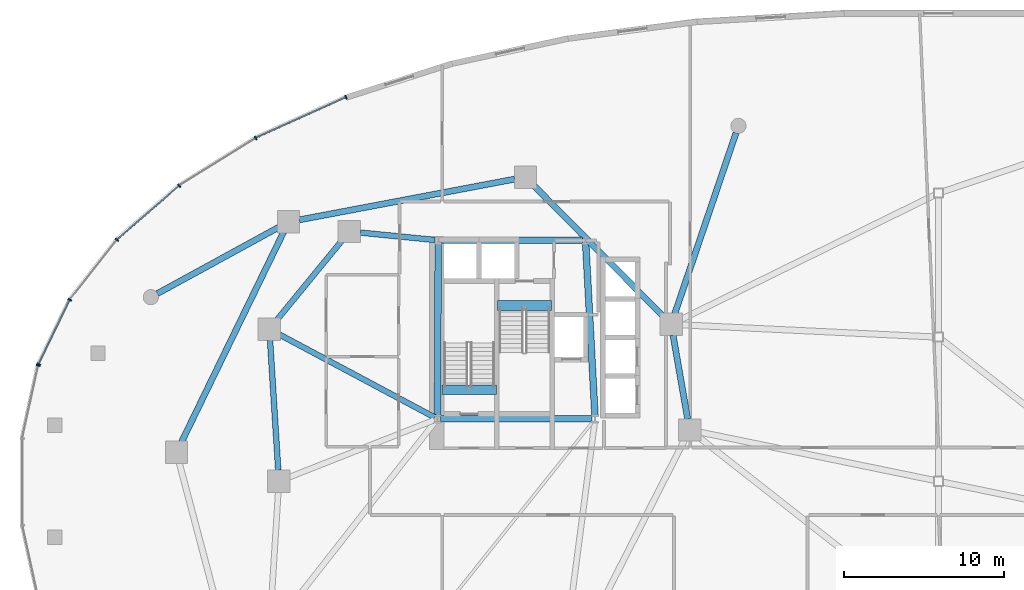
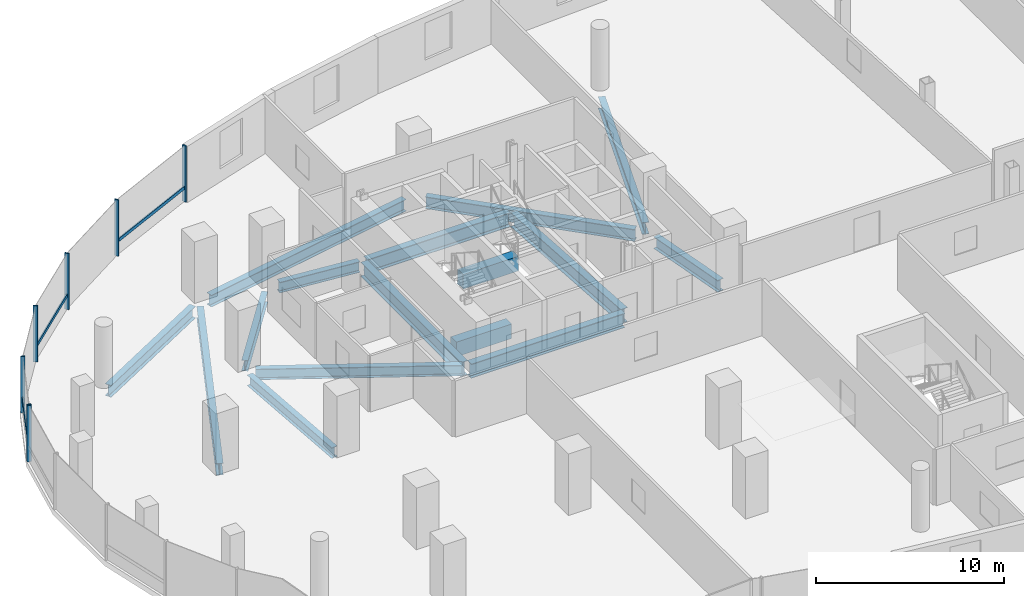
# One storey, part 5 of 19: 16 beams, 10 members, 2 elements without a shape of their own.
"""IFC4 building model written with IfcOpenShell, lengths in metres."""

import ifcopenshell
import ifcopenshell.guid

model = None  # the IFC model being written
_history = None  # IfcOwnerHistory: only IFC2X3 demands one
_inside = {}  # id of a spatial element -> (the spatial element, [elements in it])
_under = {}  # id of a project, library or spatial element -> (it, [spatial elements below it])
_declared = {}  # id of a project -> (the project, [libraries it declares])
_typed = {}  # id of a type object -> (the type object, [elements of that type])
_made_of = {}  # id of a material, layer set ... -> (it, [elements and type objects made of it])


def new_model(schema):
    """Start an empty IFC model of exactly this schema.

    Asked for "IFC4X3", IfcOpenShell would pick the latest addendum, in which some entities
    have other attributes; the version numbers below select the first issue.
    IFC2X3 requires an IfcOwnerHistory on every rooted entity: one is made here for all.
    """
    global model, _history
    if schema == "IFC4X3":
        model = ifcopenshell.file(schema_version=(4, 3, 0, 0))
    else:
        model = ifcopenshell.file(schema=schema)
    _inside.clear()
    _under.clear()
    _declared.clear()
    _typed.clear()
    _made_of.clear()
    _history = None
    if model.schema == "IFC2X3":
        org = make("IfcOrganization", Name="unknown")
        user = make(
            "IfcPersonAndOrganization",
            ThePerson=make("IfcPerson", FamilyName="unknown"),
            TheOrganization=org,
        )
        app = make(
            "IfcApplication",
            ApplicationDeveloper=org,
            Version="unknown",
            ApplicationFullName="unknown",
            ApplicationIdentifier="unknown",
        )
        _history = make(
            "IfcOwnerHistory",
            OwningUser=user,
            OwningApplication=app,
            ChangeAction="ADDED",
            CreationDate=0,
        )
    return model


def make(cls, **values):
    """One entity of the class cls with the attributes given. An attribute that is None is left unset."""
    return model.create_entity(
        cls, **{name: value for name, value in values.items() if value is not None}
    )


def rooted(cls, **values):
    """An entity with a GlobalId (a new one), such as an element, a storey or a relation."""
    return make(cls, GlobalId=ifcopenshell.guid.new(), OwnerHistory=_history, **values)


def si_unit(unit_type, name, prefix=None):
    """IfcSIUnit, for example si_unit("LENGTHUNIT", "METRE", prefix="MILLI")."""
    return make("IfcSIUnit", UnitType=unit_type, Prefix=prefix, Name=name)


def assignment(units):
    """IfcUnitAssignment: the units of a project."""
    return None if units is None else make("IfcUnitAssignment", Units=units)


def point(xyz):
    """IfcCartesianPoint."""
    return None if xyz is None else make("IfcCartesianPoint", Coordinates=xyz)


def direction(xyz):
    """IfcDirection."""
    return None if xyz is None else make("IfcDirection", DirectionRatios=xyz)


def frame(location, z_axis=None, x_axis=None):
    """IfcAxis2Placement3D, a coordinate frame: its origin and axes. An axis left out is left unset."""
    return make(
        "IfcAxis2Placement3D",
        Location=point(location),
        Axis=direction(z_axis),
        RefDirection=direction(x_axis),
    )


def frame_2d(location, x_axis=None):
    """IfcAxis2Placement2D, a coordinate frame in the plane: its origin and x axis."""
    return make(
        "IfcAxis2Placement2D", Location=point(location), RefDirection=direction(x_axis)
    )


def origin():
    """The frame at (0, 0, 0) with its axes left unset."""
    return frame((0.0, 0.0, 0.0))


def origin_2d():
    """The frame at (0, 0) in the plane with its x axis left unset."""
    return frame_2d((0.0, 0.0))


def place(relative_to, where):
    """IfcLocalPlacement: puts the frame where relative to a parent placement (None: the world)."""
    return make(
        "IfcLocalPlacement", PlacementRelTo=relative_to, RelativePlacement=where
    )


def context(
    kind, dimensions, precision=None, world=None, true_north=None, identifier=None
):
    """IfcGeometricRepresentationContext, for example the 3D "Model" context."""
    return make(
        "IfcGeometricRepresentationContext",
        ContextIdentifier=identifier,
        ContextType=kind,
        CoordinateSpaceDimension=dimensions,
        Precision=precision,
        WorldCoordinateSystem=world,
        TrueNorth=true_north,
    )


def subcontext(parent, identifier, kind, view, scale=None):
    """IfcGeometricRepresentationSubContext, for example "Body" below "Model"."""
    return make(
        "IfcGeometricRepresentationSubContext",
        ContextIdentifier=identifier,
        ContextType=kind,
        ParentContext=parent,
        TargetScale=scale,
        TargetView=view,
    )


def project(units=None, contexts=None):
    """IfcProject with its units and contexts."""
    return rooted(
        "IfcProject",
        Name="project",
        RepresentationContexts=contexts,
        UnitsInContext=assignment(units),
    )


def spatial(cls, under=None, at=None, **own):
    """A site, building, storey or space (cls), placed at a placement, below another one or the project."""
    s = rooted(cls, ObjectPlacement=at, **own)
    if under is not None:
        _under.setdefault(under.id(), (under, []))[1].append(s)
    return s


def profile(cls, at=None, kind="AREA", **sizes):
    """A parametric profile (cls). Its sizes go by their IFC names, for example OverallWidth=200.0."""
    return make(cls, ProfileType=kind, Position=at, **sizes)


def rectangle(**sizes):
    """IfcRectangleProfileDef."""
    return profile("IfcRectangleProfileDef", **sizes)


def i_section(**sizes):
    """IfcIShapeProfileDef."""
    return profile("IfcIShapeProfileDef", **sizes)


def extrude(swept, where, along, depth):
    """IfcExtrudedAreaSolid: the profile swept, set in the frame where, extruded along a direction by depth."""
    return make(
        "IfcExtrudedAreaSolid",
        SweptArea=swept,
        Position=where,
        ExtrudedDirection=direction(along),
        Depth=depth,
    )


def shape(context_of_items, identifier, shape_type, items):
    """IfcShapeRepresentation: the items that make up one representation, for example the "Body"."""
    return make(
        "IfcShapeRepresentation",
        ContextOfItems=context_of_items,
        RepresentationIdentifier=identifier,
        RepresentationType=shape_type,
        Items=items,
    )


def material(Name=None, Category=None):
    """IfcMaterial."""
    return make("IfcMaterial", Name=Name, Category=Category)


def material_profile(
    of_material, cross_section, Name=None, Category=None, Priority=None
):
    """IfcMaterialProfile: a cross section and its material."""
    return make(
        "IfcMaterialProfile",
        Name=Name,
        Material=of_material,
        Profile=cross_section,
        Priority=Priority,
        Category=Category,
    )


def profile_set(profiles, Name=None, composite=None):
    """IfcMaterialProfileSet."""
    return make(
        "IfcMaterialProfileSet",
        Name=Name,
        MaterialProfiles=profiles,
        CompositeProfile=composite,
    )


def made_of(thing, what):
    """Note that an element or type object is made of a material, layer set ...; save() writes the relation."""
    if what is not None:
        _made_of.setdefault(what.id(), (what, []))[1].append(thing)
    return thing


def type_object(cls, material=None, **own):
    """A type object (cls), such as IfcWallType, which elements share."""
    return made_of(rooted(cls, **own), material)


def element(
    cls,
    number,
    at=None,
    inside=None,
    cuts=None,
    type_object=None,
    material=None,
    context=None,
    identifier="Body",
    shape_type=None,
    held_by="IfcProductDefinitionShape",
    body=None,
    shapes=None,
    **own,
):
    """One element of the class cls, such as IfcWall. Its Tag is "e" and its number.

    at: its placement. inside: the storey or other place that contains it. cuts: it is an
    opening in that element (IfcRelVoidsElement). A single representation is given by context,
    identifier, shape_type and body (its items); several are given by shapes. held_by: the class
    of the entity that holds the representations. save() writes the other relations.
    """
    e = rooted(cls, Tag="e%d" % number, ObjectPlacement=at, **own)
    if body is not None:
        shapes = [shape(context, identifier, shape_type, body)]
    if shapes is not None:
        e.Representation = make(held_by, Representations=shapes)
    if inside is not None:
        _inside.setdefault(inside.id(), (inside, []))[1].append(e)
    if cuts is not None:
        rooted(
            "IfcRelVoidsElement", RelatingBuildingElement=cuts, RelatedOpeningElement=e
        )
    if type_object is not None:
        _typed.setdefault(type_object.id(), (type_object, []))[1].append(e)
    return made_of(e, material)


def aggregate(whole, parts):
    """IfcRelAggregates: a whole, such as a stair, and the parts it consists of."""
    return rooted("IfcRelAggregates", RelatingObject=whole, RelatedObjects=parts)


def save(model, path):
    """Write the relations noted so far, then the file.

    IfcRelAggregates (storeys below a building ...), IfcRelContainedInSpatialStructure (elements
    in a storey), IfcRelDefinesByType, IfcRelAssociatesMaterial and IfcRelDeclares: one each for
    every whole, place, type object, material and project.
    """
    for whole, parts in _under.values():
        aggregate(whole, parts)
    for where, things in _inside.values():
        rooted(
            "IfcRelContainedInSpatialStructure",
            RelatedElements=things,
            RelatingStructure=where,
        )
    for kind, things in _typed.values():
        rooted("IfcRelDefinesByType", RelatedObjects=things, RelatingType=kind)
    for what, things in _made_of.values():
        rooted("IfcRelAssociatesMaterial", RelatedObjects=things, RelatingMaterial=what)
    for by, libraries in _declared.values():
        rooted("IfcRelDeclares", RelatingContext=by, RelatedDefinitions=libraries)
    model.write(path)


model = new_model("IFC4")

# Units and contexts
model_context = context("Model", 3, precision=1e-05, world=origin(), true_north=direction((0.0, 1.0)))
body_context = subcontext(model_context, "Body", "Model", "MODEL_VIEW")
ifc_project = project(units=[si_unit("LENGTHUNIT", "METRE"), si_unit("AREAUNIT", "SQUARE_METRE"), si_unit("VOLUMEUNIT", "CUBIC_METRE"), si_unit("PLANEANGLEUNIT", "RADIAN"), si_unit("MASSUNIT", "GRAM", prefix="KILO"), si_unit("THERMODYNAMICTEMPERATUREUNIT", "KELVIN"), si_unit("POWERUNIT", "WATT")], contexts=[model_context])

# Site, building, storey
site_placement = place(None, origin())
site = spatial("IfcSite", under=ifc_project, at=site_placement, CompositionType="ELEMENT")
building_placement = place(site_placement, origin())
building = spatial("IfcBuilding", under=site, at=building_placement, Name="Cundina Bronze Exchange", CompositionType="ELEMENT")
storey_placement = place(building_placement, frame((0.0, 0.0, 16.0)))
storey = spatial("IfcBuildingStorey", under=building, at=storey_placement, Name="L03", CompositionType="ELEMENT", Elevation=16.0)

# Beams
ifc_material_1 = material(Name="Concrete C60/75", Category="concrete")
ifc_material_profile_1 = material_profile(ifc_material_1, rectangle(XDim=0.60009765625, YDim=0.949951171875, at=origin_2d()), Name="RC600X950", Category="concrete")
ifc_profile_set_1 = profile_set([ifc_material_profile_1], Name="Concrete C60/75")
beam_type_1 = type_object("IfcBeamType", Name="BM-COUP-RC950", PredefinedType="LINTEL", material=ifc_profile_set_1)
beam_1_placement = place(storey_placement, frame((-31.02001953125, 5.719970703125, -0.47509765625), z_axis=(1.0, 0.0, 0.0), x_axis=(0.0, 1.0, 0.0)))
element("IfcBeam", 1, at=beam_1_placement, inside=storey, type_object=beam_type_1, Name="L03 Stair W1 Landing Header Beam", PredefinedType="LINTEL", context=body_context, shape_type="SweptSolid", body=[
    extrude(rectangle(XDim=0.60009765625, YDim=0.949951171875, at=origin_2d()), origin(), (0.0, 0.0, 1.0), 3.39990234375),
])
beam_2_placement = place(storey_placement, frame((-27.56005859375, 10.97998046875, -0.47509765625), z_axis=(1.0, 0.0, 0.0), x_axis=(0.0, 1.0, 0.0)))
element("IfcBeam", 2, at=beam_2_placement, inside=storey, type_object=beam_type_1, Name="L03 Stair W2 Landing Header Beam", PredefinedType="LINTEL", context=body_context, shape_type="SweptSolid", body=[
    extrude(rectangle(XDim=0.60009765625, YDim=0.949951171875, at=origin_2d()), origin(), (0.0, 0.0, 1.0), 3.400146484375),
])
ifc_material_2 = material(Name="Steel ASTM A992 Grade 50", Category="steel")
ifc_material_profile_2 = material_profile(ifc_material_2, i_section(OverallWidth=0.35498046875, OverallDepth=0.695068359375, WebThickness=0.015380859375, FlangeThickness=0.02490234375, FilletRadius=0.01806640625, at=origin_2d()), Name="W27X146", Category="steel")
ifc_profile_set_2 = profile_set([ifc_material_profile_2], Name="Steel ASTM A992 Grade 50")
beam_type_2 = type_object("IfcBeamType", Name="BM-RING-W27", PredefinedType="USERDEFINED", material=ifc_profile_set_2)
beam_3_placement = place(storey_placement, frame((-31.452880859375, 15.070068359375, -0.697509765625), z_axis=(-0.995123484374, 0.098636964914, 0.0), x_axis=(-0.098636964914, -0.995123484374, 0.0)))
element("IfcBeam", 3, at=beam_3_placement, inside=storey, type_object=beam_type_2, Name="L03 W Inner Structural Ring Girder 01", ObjectType="GIRDER", PredefinedType="USERDEFINED", context=body_context, shape_type="SweptSolid", body=[
    extrude(i_section(OverallWidth=0.35498046875, OverallDepth=0.695068359375, WebThickness=0.015380859375, FlangeThickness=0.02490234375, FilletRadius=0.01806640625, at=origin_2d()), origin(), (0.0, 0.0, 1.0), 4.685546875),
])
beam_4_placement = place(storey_placement, frame((-37.236083984375, 15.06787109375, -0.697509765625), z_axis=(-0.633941925234, -0.773380653644, 0.0), x_axis=(0.773380653644, -0.633941925234, 0.0)))
element("IfcBeam", 4, at=beam_4_placement, inside=storey, type_object=beam_type_2, Name="L03 W Inner Structural Ring Girder 02", ObjectType="GIRDER", PredefinedType="USERDEFINED", context=body_context, shape_type="SweptSolid", body=[
    extrude(i_section(OverallWidth=0.35498046875, OverallDepth=0.695068359375, WebThickness=0.015380859375, FlangeThickness=0.02490234375, FilletRadius=0.01806640625, at=origin_2d()), origin(), (0.0, 0.0, 1.0), 6.511474609375),
])
beam_5_placement = place(storey_placement, frame((-41.756591796875, 8.8134765625, -0.697509765625), z_axis=(0.063020359641, -0.998012241544, 0.0), x_axis=(0.998012241544, 0.063020359641, 0.0)))
element("IfcBeam", 5, at=beam_5_placement, inside=storey, type_object=beam_type_2, Name="L03 W Inner Structural Ring Girder 03", ObjectType="GIRDER", PredefinedType="USERDEFINED", context=body_context, shape_type="SweptSolid", body=[
    extrude(i_section(OverallWidth=0.35498046875, OverallDepth=0.695068359375, WebThickness=0.015380859375, FlangeThickness=0.02490234375, FilletRadius=0.01806640625, at=origin_2d()), origin(), (0.0, 0.0, 1.0), 8.14306640625),
])
beam_6_placement = place(storey_placement, frame((-31.47998046875, 3.99609375, -0.697509765625), z_axis=(-0.882354169055, 0.470585933014, 0.0), x_axis=(-0.470585933014, -0.882354169055, 0.0)))
element("IfcBeam", 6, at=beam_6_placement, inside=storey, type_object=beam_type_2, Name="L03 W Core-to-Waist Tie Beam 2", ObjectType="GIRDER", PredefinedType="USERDEFINED", context=body_context, shape_type="SweptSolid", body=[
    extrude(i_section(OverallWidth=0.35498046875, OverallDepth=0.695068359375, WebThickness=0.015380859375, FlangeThickness=0.02490234375, FilletRadius=0.01806640625, at=origin_2d()), origin(), (0.0, 0.0, 1.0), 11.0078125),
])
ifc_material_profile_3 = material_profile(ifc_material_2, i_section(OverallWidth=0.381103515625, OverallDepth=0.77294921875, WebThickness=0.0166015625, FlangeThickness=0.027099609375, FilletRadius=0.01904296875, at=origin_2d()), Name="W30X173", Category="steel")
ifc_profile_set_3 = profile_set([ifc_material_profile_3], Name="Steel ASTM A992 Grade 50")
beam_type_3 = type_object("IfcBeamType", Name="BM-RING-W30", PredefinedType="USERDEFINED", material=ifc_profile_set_3)
beam_7_placement = place(storey_placement, frame((-48.793701171875, 11.721923828125, -0.736572265625), z_axis=(0.877499398221, 0.479577737308, 0.0), x_axis=(-0.479577737308, 0.877499398221, 0.0)))
element("IfcBeam", 7, at=beam_7_placement, inside=storey, type_object=beam_type_3, Name="L03 Podium Colonnade Tie Beam 01", ObjectType="GIRDER", PredefinedType="USERDEFINED", context=body_context, shape_type="SweptSolid", body=[
    extrude(i_section(OverallWidth=0.381103515625, OverallDepth=0.77294921875, WebThickness=0.0166015625, FlangeThickness=0.027099609375, FilletRadius=0.01904296875, at=origin_2d()), origin(), (0.0, 0.0, 1.0), 8.649658203125),
])
beam_8_placement = place(storey_placement, frame((-12.6484375, 21.761474609375, -0.736572265625), z_axis=(-0.320812062771, -0.947142872211, 0.0), x_axis=(0.947142872211, -0.320812062771, 0.0)))
element("IfcBeam", 8, at=beam_8_placement, inside=storey, type_object=beam_type_3, Name="L03 Podium Colonnade Tie Beam 03", ObjectType="GIRDER", PredefinedType="USERDEFINED", context=body_context, shape_type="SweptSolid", body=[
    extrude(i_section(OverallWidth=0.381103515625, OverallDepth=0.77294921875, WebThickness=0.0166015625, FlangeThickness=0.027099609375, FilletRadius=0.01904296875, at=origin_2d()), origin(), (0.0, 0.0, 1.0), 11.94091796875),
])
beam_9_placement = place(storey_placement, frame((-15.668212890625, 3.877685546875, -0.736572265625), z_axis=(-0.171608250567, 0.985165269555, 0.0), x_axis=(-0.985165269555, -0.171608250567, 0.0)))
element("IfcBeam", 9, at=beam_9_placement, inside=storey, type_object=beam_type_3, Name="L03 W Podium Ring Girder 00", ObjectType="GIRDER", PredefinedType="USERDEFINED", context=body_context, shape_type="SweptSolid", body=[
    extrude(i_section(OverallWidth=0.381103515625, OverallDepth=0.77294921875, WebThickness=0.0166015625, FlangeThickness=0.027099609375, FilletRadius=0.01904296875, at=origin_2d()), origin(), (0.0, 0.0, 1.0), 5.323486328125),
])
beam_10_placement = place(storey_placement, frame((-17.183837890625, 10.2890625, -0.736572265625), z_axis=(-0.703222219128, 0.710970119291, 0.0), x_axis=(-0.710970119291, -0.703222219128, 0.0)))
element("IfcBeam", 10, at=beam_10_placement, inside=storey, type_object=beam_type_3, Name="L03 W Podium Ring Girder 02", ObjectType="GIRDER", PredefinedType="USERDEFINED", context=body_context, shape_type="SweptSolid", body=[
    extrude(i_section(OverallWidth=0.381103515625, OverallDepth=0.77294921875, WebThickness=0.0166015625, FlangeThickness=0.027099609375, FilletRadius=0.01904296875, at=origin_2d()), origin(), (0.0, 0.0, 1.0), 11.564453125),
])
beam_11_placement = place(storey_placement, frame((-26.47607421875, 18.8720703125, -0.736572265625), z_axis=(-0.982570597927, -0.18588980631, 0.0), x_axis=(0.18588980631, -0.982570597927, 0.0)))
element("IfcBeam", 11, at=beam_11_placement, inside=storey, type_object=beam_type_3, Name="L03 W Podium Ring Girder 04", ObjectType="GIRDER", PredefinedType="USERDEFINED", context=body_context, shape_type="SweptSolid", body=[
    extrude(i_section(OverallWidth=0.381103515625, OverallDepth=0.77294921875, WebThickness=0.0166015625, FlangeThickness=0.027099609375, FilletRadius=0.01904296875, at=origin_2d()), origin(), (0.0, 0.0, 1.0), 13.6865234375),
])
beam_12_placement = place(storey_placement, frame((-40.90087890625, 15.581298828125, -0.736572265625), z_axis=(-0.437190083216, -0.899369129522, 0.0), x_axis=(0.899369129522, -0.437190083216, 0.0)))
element("IfcBeam", 12, at=beam_12_placement, inside=storey, type_object=beam_type_3, Name="L03 W Podium Ring Girder 06", ObjectType="GIRDER", PredefinedType="USERDEFINED", context=body_context, shape_type="SweptSolid", body=[
    extrude(i_section(OverallWidth=0.381103515625, OverallDepth=0.77294921875, WebThickness=0.0166015625, FlangeThickness=0.027099609375, FilletRadius=0.01904296875, at=origin_2d()), origin(), (0.0, 0.0, 1.0), 14.63525390625),
])
ifc_material_profile_4 = material_profile(ifc_material_2, i_section(OverallWidth=0.41796875, OverallDepth=0.927001953125, WebThickness=0.019287109375, FlangeThickness=0.031982421875, FilletRadius=0.02392578125, at=origin_2d()), Name="W36X231", Category="steel")
ifc_profile_set_4 = profile_set([ifc_material_profile_4], Name="Steel ASTM A992 Grade 50")
beam_type_4 = type_object("IfcBeamType", Name="BM-WRN-W36B", PredefinedType="USERDEFINED", material=ifc_profile_set_4)
beam_13_placement = place(storey_placement, frame((-31.095947265625, 3.89990234375, -0.8134765625), z_axis=(1.0, 0.0, 0.0), x_axis=(0.0, 1.0, 0.0)))
element("IfcBeam", 13, at=beam_13_placement, inside=storey, type_object=beam_type_4, Name="L03 W Core Perimeter Tie Girder 1", ObjectType="GIRDER", PredefinedType="USERDEFINED", context=body_context, shape_type="SweptSolid", body=[
    extrude(i_section(OverallWidth=0.41796875, OverallDepth=0.927001953125, WebThickness=0.019287109375, FlangeThickness=0.031982421875, FilletRadius=0.02392578125, at=origin_2d()), origin(), (0.0, 0.0, 1.0), 9.44189453125),
])
beam_14_placement = place(storey_placement, frame((-21.4609375, 4.103759765625, -0.8134765625), z_axis=(-0.053739193498, 0.998555005537, 0.0), x_axis=(-0.998555005537, -0.053739193498, 0.0)))
element("IfcBeam", 14, at=beam_14_placement, inside=storey, type_object=beam_type_4, Name="L03 W Core Perimeter Tie Girder 2", ObjectType="GIRDER", PredefinedType="USERDEFINED", context=body_context, shape_type="SweptSolid", body=[
    extrude(i_section(OverallWidth=0.41796875, OverallDepth=0.927001953125, WebThickness=0.019287109375, FlangeThickness=0.031982421875, FilletRadius=0.02392578125, at=origin_2d()), origin(), (0.0, 0.0, 1.0), 10.758056640625),
])
beam_15_placement = place(storey_placement, frame((-22.25390625, 15.050048828125, -0.8134765625), z_axis=(-1.0, 0.0, 0.0), x_axis=(0.0, -1.0, 0.0)))
element("IfcBeam", 15, at=beam_15_placement, inside=storey, type_object=beam_type_4, Name="L03 W Core Perimeter Tie Girder 3", ObjectType="GIRDER", PredefinedType="USERDEFINED", context=body_context, shape_type="SweptSolid", body=[
    extrude(i_section(OverallWidth=0.41796875, OverallDepth=0.927001953125, WebThickness=0.019287109375, FlangeThickness=0.031982421875, FilletRadius=0.02392578125, at=origin_2d()), origin(), (0.0, 0.0, 1.0), 8.7919921875),
])
beam_16_placement = place(storey_placement, frame((-31.2509765625, 14.845947265625, -0.8134765625), z_axis=(-0.004477329608, -0.99998997671, 0.0), x_axis=(0.99998997671, -0.004477329608, 0.0)))
element("IfcBeam", 16, at=beam_16_placement, inside=storey, type_object=beam_type_4, Name="L03 W Core Perimeter Tie Girder 4", ObjectType="GIRDER", PredefinedType="USERDEFINED", context=body_context, shape_type="SweptSolid", body=[
    extrude(i_section(OverallWidth=0.41796875, OverallDepth=0.927001953125, WebThickness=0.019287109375, FlangeThickness=0.031982421875, FilletRadius=0.02392578125, at=origin_2d()), origin(), (0.0, 0.0, 1.0), 10.741943359375),
])

# Curtain wall, members
ifc_material_3 = material(Name="Anodised Bronze Aluminium 6063-T6", Category="aluminium")
curtain_wall_type = type_object("IfcCurtainWallType", Name="CWS-POD-CONC", PredefinedType="NOTDEFINED", material=ifc_material_3)
curtain_wall_1_placement = place(storey_placement, origin())
curtain_wall_1 = element("IfcCurtainWall", 17, at=curtain_wall_1_placement, inside=storey, type_object=curtain_wall_type, Name="L03 CW-01 Curtain Wall Run CWR-L03-03", PredefinedType="NOTDEFINED")
ifc_material_profile_5 = material_profile(ifc_material_3, rectangle(XDim=0.0849609375, YDim=0.25, at=origin_2d()), Name="AL85X250", Category="aluminium")
ifc_profile_set_5 = profile_set([ifc_material_profile_5], Name="Anodised Bronze Aluminium 6063-T6")
member_type_1 = type_object("IfcMemberType", Name="CWM-MUL-250", PredefinedType="MULLION", material=ifc_profile_set_5)
member_1_placement = place(storey_placement, frame((-37.013671875, 23.990478515625, 0.0), z_axis=(0.0, 0.0, 1.0), x_axis=(-0.911618620107, -0.411037092578, 0.0)))
member_1 = element("IfcMember", 18, at=member_1_placement, type_object=member_type_1, Name="CW-01 Mullion 1", PredefinedType="MULLION", context=body_context, shape_type="SweptSolid", body=[
    extrude(rectangle(XDim=0.0849609375, YDim=0.25, at=origin_2d()), origin(), (0.0, 0.0, 1.0), 3.64990234375),
])
member_2_placement = place(storey_placement, frame((-42.654052734375, 21.4404296875, 0.0), z_axis=(0.0, 0.0, 1.0), x_axis=(-0.849248260906, -0.527993741769, 0.0)))
member_2 = element("IfcMember", 19, at=member_2_placement, type_object=member_type_1, Name="CW-01 Mullion 2", PredefinedType="MULLION", context=body_context, shape_type="SweptSolid", body=[
    extrude(rectangle(XDim=0.0849609375, YDim=0.25, at=origin_2d()), origin(), (0.0, 0.0, 1.0), 3.64990234375),
])
member_3_placement = place(storey_placement, frame((-47.43701171875, 18.45849609375, 0.0), z_axis=(0.0, 0.0, 1.0), x_axis=(-0.755510544084, -0.6551364879, 0.0)))
member_3 = element("IfcMember", 20, at=member_3_placement, type_object=member_type_1, Name="CW-01 Mullion 3", PredefinedType="MULLION", context=body_context, shape_type="SweptSolid", body=[
    extrude(rectangle(XDim=0.0849609375, YDim=0.25, at=origin_2d()), origin(), (0.0, 0.0, 1.0), 3.64990234375),
])
member_4_placement = place(storey_placement, frame((-51.320068359375, 15.08056640625, 0.0), z_axis=(0.0, 0.0, 1.0), x_axis=(-0.61950505541, -0.784992666412, 0.0)))
member_4 = element("IfcMember", 21, at=member_4_placement, type_object=member_type_1, Name="CW-01 Mullion 4", PredefinedType="MULLION", context=body_context, shape_type="SweptSolid", body=[
    extrude(rectangle(XDim=0.0849609375, YDim=0.25, at=origin_2d()), origin(), (0.0, 0.0, 1.0), 3.64990234375),
])
member_5_placement = place(storey_placement, frame((-54.263427734375, 11.335205078125, 0.0), z_axis=(0.0, 0.0, 1.0), x_axis=(-0.435702445497, -0.900090761528, 0.0)))
member_5 = element("IfcMember", 22, at=member_5_placement, type_object=member_type_1, Name="CW-01 Mullion 5", PredefinedType="MULLION", context=body_context, shape_type="SweptSolid", body=[
    extrude(rectangle(XDim=0.0849609375, YDim=0.25, at=origin_2d()), origin(), (0.0, 0.0, 1.0), 3.64990234375),
])
member_6_placement = place(storey_placement, frame((-56.211669921875, 7.311279296875, 0.0), z_axis=(0.0, 0.0, 1.0), x_axis=(-0.435702445497, -0.900090761528, 0.0)))
member_6 = element("IfcMember", 23, at=member_6_placement, type_object=member_type_1, Name="CW-01 End Mullion", PredefinedType="MULLION", context=body_context, shape_type="SweptSolid", body=[
    extrude(rectangle(XDim=0.0849609375, YDim=0.25, at=origin_2d()), origin(), (0.0, 0.0, 1.0), 3.64990234375),
])

# Curtain wall, member
curtain_wall_2_placement = place(storey_placement, origin())
curtain_wall_2 = element("IfcCurtainWall", 24, at=curtain_wall_2_placement, inside=storey, type_object=curtain_wall_type, Name="L03 CW-01 Curtain Wall Run CWR-L03-04", PredefinedType="NOTDEFINED")
member_7_placement = place(storey_placement, frame((-56.239013671875, 7.231689453125, 0.0), z_axis=(0.0, 0.0, 1.0), x_axis=(-0.214564862428, -0.976709741843, 0.0)))
member_7 = element("IfcMember", 25, at=member_7_placement, type_object=member_type_1, Name="CW-01 Mullion 1", PredefinedType="MULLION", context=body_context, shape_type="SweptSolid", body=[
    extrude(rectangle(XDim=0.0849609375, YDim=0.25, at=origin_2d()), origin(), (0.0, 0.0, 1.0), 3.64990234375),
])
aggregate(curtain_wall_2, [member_7])

# Member
ifc_material_profile_6 = material_profile(ifc_material_3, rectangle(XDim=0.080078125, YDim=0.2099609375, at=origin_2d()), Name="AL80X210", Category="aluminium")
ifc_profile_set_6 = profile_set([ifc_material_profile_6], Name="Anodised Bronze Aluminium 6063-T6")
member_type_2 = type_object("IfcMemberType", Name="CWM-TRN-210", PredefinedType="USERDEFINED", material=ifc_profile_set_6)
member_8_placement = place(storey_placement, frame((-37.056396484375, 23.97119140625, 0.919921875), z_axis=(-0.911641535198, -0.410986266561, 0.0), x_axis=(0.410986266561, -0.911641535198, 0.0)))
member_8 = element("IfcMember", 26, at=member_8_placement, type_object=member_type_2, Name="CW-01 Spandrel Transom 1", ObjectType="TRANSOM", PredefinedType="USERDEFINED", context=body_context, shape_type="SweptSolid", body=[
    extrude(rectangle(XDim=0.080078125, YDim=0.2099609375, at=origin_2d()), origin(), (0.0, 0.0, 1.0), 6.090576171875),
])

member_9_placement = place(storey_placement, frame((-47.472412109375, 18.427734375, 0.919921875), z_axis=(-0.755563201238, -0.655075758164, 0.0), x_axis=(0.655075758164, -0.755563201238, 0.0)))
member_9 = element("IfcMember", 27, at=member_9_placement, type_object=member_type_2, Name="CW-01 Spandrel Transom 3", ObjectType="TRANSOM", PredefinedType="USERDEFINED", context=body_context, shape_type="SweptSolid", body=[
    extrude(rectangle(XDim=0.080078125, YDim=0.2099609375, at=origin_2d()), origin(), (0.0, 0.0, 1.0), 5.055908203125),
])

member_10_placement = place(storey_placement, frame((-54.28369140625, 11.293212890625, 0.919921875), z_axis=(-0.435776682523, -0.900054822202, 0.0), x_axis=(0.900054822202, -0.435776682523, 0.0)))
member_10 = element("IfcMember", 28, at=member_10_placement, type_object=member_type_2, Name="CW-01 Spandrel Transom 5", ObjectType="TRANSOM", PredefinedType="USERDEFINED", context=body_context, shape_type="SweptSolid", body=[
    extrude(rectangle(XDim=0.080078125, YDim=0.2099609375, at=origin_2d()), origin(), (0.0, 0.0, 1.0), 4.377197265625),
])

aggregate(curtain_wall_1, [member_1, member_8, member_2, member_3, member_9, member_4, member_5, member_6, member_10])

save(model, "model.ifc")
